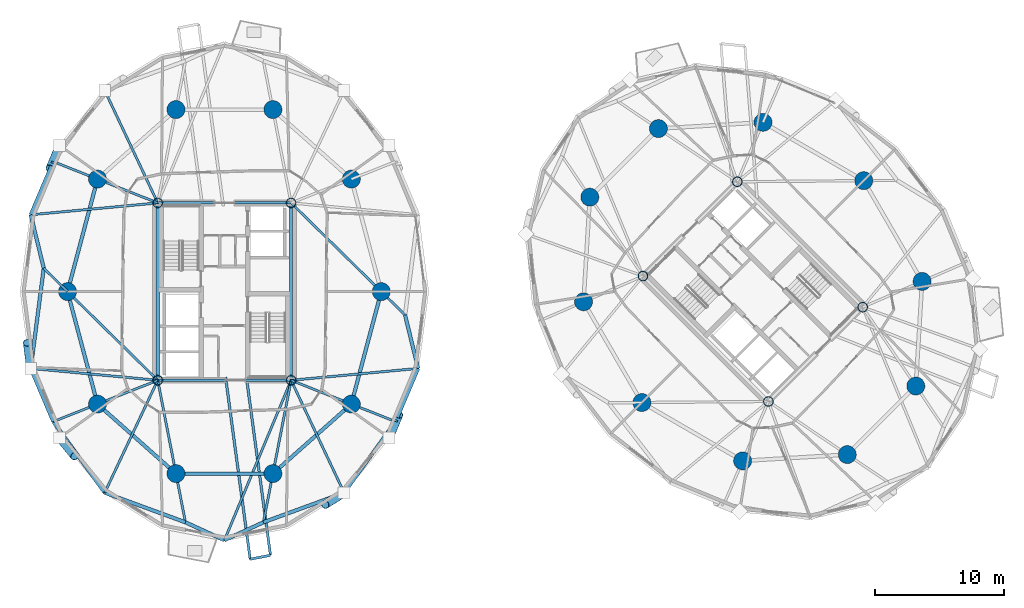
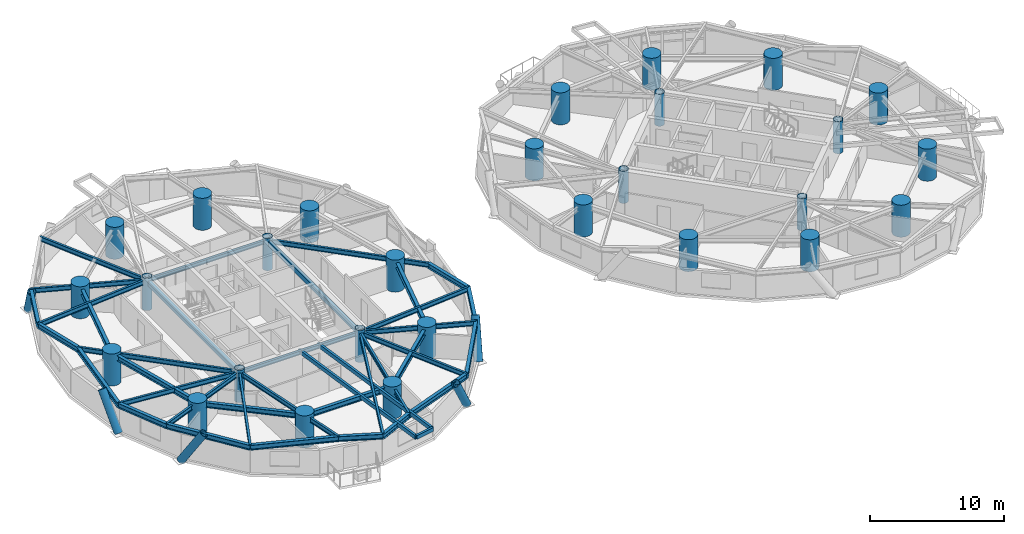
# One storey, part 1 of 19: 40 beams, 28 columns, 5 members.
"""IFC4 building model written with IfcOpenShell, lengths in metres."""

from ifc_helpers import new_model, si_unit, direction, frame, origin, origin_2d, place, context, subcontext, project, spatial, hollow_rectangle, circle, hollow_circle, i_section, extrude, material, material_profile, profile_set, type_object, element, save


model = new_model("IFC4")

# Units and contexts
model_context = context("Model", 3, precision=1e-05, world=origin(), true_north=direction((0.0, 1.0)))
body_context = subcontext(model_context, "Body", "Model", "MODEL_VIEW")
ifc_project = project(units=[si_unit("LENGTHUNIT", "METRE"), si_unit("AREAUNIT", "SQUARE_METRE"), si_unit("VOLUMEUNIT", "CUBIC_METRE"), si_unit("PLANEANGLEUNIT", "RADIAN"), si_unit("MASSUNIT", "GRAM", prefix="KILO")], contexts=[model_context])

# Site, building, storey
site_placement = place(None, origin())
site = spatial("IfcSite", under=ifc_project, at=site_placement, CompositionType="ELEMENT")
building_placement = place(site_placement, origin())
building = spatial("IfcBuilding", under=site, at=building_placement, Name="Cununo Teusaquillo Station Towers", CompositionType="ELEMENT")
storey_placement = place(building_placement, frame((0.0, 0.0, 84.699951171875)))
storey = spatial("IfcBuildingStorey", under=building, at=storey_placement, Name="L26", CompositionType="ELEMENT", Elevation=84.699951171875)

# Columns
ifc_material_1 = material(Name="Steel EN 10025-2 S355J2", Category="steel")
ifc_material_profile_1 = material_profile(ifc_material_1, hollow_circle(Radius=0.3798828125, WallThickness=0.031982421875, at=origin_2d()), Name="CHS 760x32")
ifc_profile_set_1 = profile_set([ifc_material_profile_1], Name="Steel EN 10025-2 S355J2")
column_type_1 = type_object("IfcColumnType", Name="COL-CORE-Z2", PredefinedType="COLUMN", material=ifc_profile_set_1)
for number, where, z_axis, x_axis, name in (
    (1, (11.324951171875, 17.6201171875, 0.0), (0.0, 0.0, 1.0), (1.0, 0.0, 0.0), "L26 Tower A Core Column 1"),
    (2, (11.324951171875, 31.3798828125, 0.0), (0.0, 0.0, 1.0), (1.0, 0.0, 0.0), "L26 Tower A Core Column 2"),
    (3, (21.675048828125, 17.6201171875, 0.0), (0.0, 0.0, 1.0), (1.0, 0.0, 0.0), "L26 Tower A Core Column 3"),
    (4, (21.675048828125, 31.3798828125, 0.0), (0.0, 0.0, 1.0), (1.0, 0.0, 0.0), "L26 Tower A Core Column 4"),
    (5, (58.70556640625, 15.975830078125, 0.0), (0.0, 0.0, 1.0), (0.707106781187, 0.707106781187, 0.0), "L26 Tower B Core Column 1"),
    (6, (48.975830078125, 25.70556640625, 0.0), (0.0, 0.0, 1.0), (0.707106781187, 0.707106781187, 0.0), "L26 Tower B Core Column 2"),
    (7, (66.024169921875, 23.29443359375, 0.0), (0.0, 0.0, 1.0), (0.707106781187, 0.707106781187, 0.0), "L26 Tower B Core Column 3"),
    (8, (56.29443359375, 33.024169921875, 0.0), (0.0, 0.0, 1.0), (0.707106781187, 0.707106781187, 0.0), "L26 Tower B Core Column 4"),
):
    element("IfcColumn", number, at=place(storey_placement, frame(where, z_axis=z_axis, x_axis=x_axis)), inside=storey, type_object=column_type_1, Name=name, PredefinedType="COLUMN", context=body_context, shape_type="SweptSolid", body=[
        extrude(hollow_circle(Radius=0.3798828125, WallThickness=0.031982421875, at=origin_2d()), origin(), (0.0, 0.0, 1.0), 2.91015625),
    ])
ifc_material_2 = material(Name="Concrete C60/75", Category="concrete")
ifc_material_profile_2 = material_profile(ifc_material_2, circle(Radius=0.699951171875, at=origin_2d()), Name="RC-CIRC-1400")
ifc_profile_set_2 = profile_set([ifc_material_profile_2], Name="Concrete C60/75")
column_type_2 = type_object("IfcColumnType", Name="COL-MEGA-Z2", PredefinedType="USERDEFINED", material=ifc_profile_set_2)
for number, where, z_axis, x_axis, name in (
    (9, (28.672119140625, 24.5, 0.0), (0.0, 0.0, 1.0), (1.0, 0.0, 0.0), "L26 Tower A Perimeter Column V00"),
    (10, (26.347412109375, 33.228515625, 0.0), (0.0, 0.0, 1.0), (1.0, 0.0, 0.0), "L26 Tower A Perimeter Column V02"),
    (11, (20.261474609375, 38.623291015625, 0.0), (0.0, 0.0, 1.0), (1.0, 0.0, 0.0), "L26 Tower A Perimeter Column V04"),
    (12, (12.738525390625, 38.623291015625, 0.0), (0.0, 0.0, 1.0), (1.0, 0.0, 0.0), "L26 Tower A Perimeter Column V06"),
    (13, (6.652587890625, 33.228515625, 0.0), (0.0, 0.0, 1.0), (1.0, 0.0, 0.0), "L26 Tower A Perimeter Column V08"),
    (14, (4.327880859375, 24.5, 0.0), (0.0, 0.0, 1.0), (1.0, 0.0, 0.0), "L26 Tower A Perimeter Column V10"),
    (15, (6.652587890625, 15.771484375, 0.0), (0.0, 0.0, 1.0), (1.0, 0.0, 0.0), "L26 Tower A Perimeter Column V12"),
    (16, (12.738525390625, 10.376708984375, 0.0), (0.0, 0.0, 1.0), (1.0, 0.0, 0.0), "L26 Tower A Perimeter Column V14"),
    (17, (20.261474609375, 10.376708984375, 0.0), (0.0, 0.0, 1.0), (1.0, 0.0, 0.0), "L26 Tower A Perimeter Column V16"),
    (18, (26.347412109375, 15.771484375, 0.0), (0.0, 0.0, 1.0), (1.0, 0.0, 0.0), "L26 Tower A Perimeter Column V18"),
    (19, (66.10693359375, 33.10693359375, 0.0), (0.0, 0.0, 1.0), (1.0, 0.0, 0.0), "L26 Tower B Perimeter Column V00"),
    (20, (58.291015625, 37.63525390625, 0.0), (0.0, 0.0, 1.0), (1.0, 0.0, 0.0), "L26 Tower B Perimeter Column V02"),
    (21, (50.173095703125, 37.146240234375, 0.0), (0.0, 0.0, 1.0), (1.0, 0.0, 0.0), "L26 Tower B Perimeter Column V04"),
    (22, (44.853759765625, 31.826904296875, 0.0), (0.0, 0.0, 1.0), (1.0, 0.0, 0.0), "L26 Tower B Perimeter Column V06"),
    (23, (44.36474609375, 23.708984375, 0.0), (0.0, 0.0, 1.0), (1.0, 0.0, 0.0), "L26 Tower B Perimeter Column V08"),
    (24, (48.89306640625, 15.89306640625, 0.0), (0.0, 0.0, 1.0), (1.0, 0.0, 0.0), "L26 Tower B Perimeter Column V10"),
    (25, (56.708984375, 11.36474609375, 0.0), (0.0, 0.0, 1.0), (1.0, 0.0, 0.0), "L26 Tower B Perimeter Column V12"),
    (26, (64.826904296875, 11.853759765625, 0.0), (0.0, 0.0, 1.0), (1.0, 0.0, 0.0), "L26 Tower B Perimeter Column V14"),
    (27, (70.146240234375, 17.173095703125, 0.0), (0.0, 0.0, 1.0), (1.0, 0.0, 0.0), "L26 Tower B Perimeter Column V16"),
    (28, (70.63525390625, 25.291015625, 0.0), (0.0, 0.0, 1.0), (1.0, 0.0, 0.0), "L26 Tower B Perimeter Column V18"),
):
    element("IfcColumn", number, at=place(storey_placement, frame(where, z_axis=z_axis, x_axis=x_axis)), inside=storey, type_object=column_type_2, Name=name, ObjectType="MEGA COLUMN", PredefinedType="USERDEFINED", context=body_context, shape_type="SweptSolid", body=[
        extrude(circle(Radius=0.699951171875, at=origin_2d()), origin(), (0.0, 0.0, 1.0), 2.91015625),
    ])

# Beams
ifc_material_3 = material(Name="Steel EN 10025-2 S355J2", Category="steel")
ifc_material_profile_3 = material_profile(ifc_material_3, hollow_rectangle(XDim=0.199951171875, YDim=0.35009765625, WallThickness=0.013916015625, at=origin_2d()), Name="RHS 350x200x14")
ifc_profile_set_3 = profile_set([ifc_material_profile_3], Name="Steel EN 10025-2 S355J2")
beam_type_1 = type_object("IfcBeamType", Name="BM-BAL-CANT", PredefinedType="BEAM", material=ifc_profile_set_3)
beam_1_placement = place(storey_placement, frame((16.59130859375, 17.85009765625, 2.4951171875), z_axis=(0.133936551357, -0.990989909237, 0.0), x_axis=(0.990989909237, 0.133936551357, 0.0)))
element("IfcBeam", 29, at=beam_1_placement, inside=storey, type_object=beam_type_1, Name="L26 Tower A Balcony Cantilever Bracket 2A", PredefinedType="BEAM", context=body_context, shape_type="SweptSolid", body=[
    extrude(hollow_rectangle(XDim=0.199951171875, YDim=0.35009765625, WallThickness=0.013916015625, at=origin_2d()), origin(), (0.0, 0.0, 1.0), 14.24169921875),
])
beam_2_placement = place(storey_placement, frame((18.206298828125, 17.85009765625, 2.4951171875), z_axis=(0.133960678738, -0.990986648019, 0.0), x_axis=(0.990986648019, 0.133960678738, 0.0)))
element("IfcBeam", 30, at=beam_2_placement, inside=storey, type_object=beam_type_1, Name="L26 Tower A Balcony Cantilever Bracket 2B", PredefinedType="BEAM", context=body_context, shape_type="SweptSolid", body=[
    extrude(hollow_rectangle(XDim=0.199951171875, YDim=0.35009765625, WallThickness=0.013916015625, at=origin_2d()), origin(), (0.0, 0.0, 1.0), 13.9345703125),
])
ifc_material_4 = material(Name="Steel EN 10025-2 S355J2", Category="steel")
ifc_material_profile_4 = material_profile(ifc_material_4, hollow_rectangle(XDim=0.25, YDim=0.449951171875, WallThickness=0.01611328125, at=origin_2d()), Name="RHS 450x250x16")
ifc_profile_set_4 = profile_set([ifc_material_profile_4], Name="Steel EN 10025-2 S355J2")
beam_type_2 = type_object("IfcBeamType", Name="BM-COUP-1", PredefinedType="USERDEFINED", material=ifc_profile_set_4)
for number, where, z_axis, x_axis, name in (
    (31, (11.324951171875, 17.6201171875, 2.445068359375), (0.0, 1.0, 0.0), (-1.0, 0.0, 0.0), "L26 Tower A Core Beam 1"),
    (32, (21.675048828125, 17.6201171875, 2.445068359375), (0.0, 1.0, 0.0), (-1.0, 0.0, 0.0), "L26 Tower A Core Beam 2"),
):
    element("IfcBeam", number, at=place(storey_placement, frame(where, z_axis=z_axis, x_axis=x_axis)), inside=storey, type_object=beam_type_2, Name=name, ObjectType="COUPLING BEAM", PredefinedType="USERDEFINED", context=body_context, shape_type="SweptSolid", body=[
        extrude(hollow_rectangle(XDim=0.25, YDim=0.449951171875, WallThickness=0.01611328125, at=origin_2d()), origin(), (0.0, 0.0, 1.0), 13.759765625),
    ])
ifc_material_5 = material(Name="Steel ASTM A572 Grade 50", Category="steel")
ifc_material_profile_5 = material_profile(ifc_material_5, i_section(OverallWidth=0.180908203125, OverallDepth=0.4169921875, WebThickness=0.010986328125, FlangeThickness=0.018310546875, FilletRadius=0.012939453125, at=origin_2d()), Name="W16X57")
ifc_profile_set_5 = profile_set([ifc_material_profile_5], Name="Steel ASTM A572 Grade 50")
beam_type_3 = type_object("IfcBeamType", Name="BM-JOIST-1", PredefinedType="JOIST", material=ifc_profile_set_5)
beam_3_placement = place(storey_placement, frame((11.324951171875, 31.3798828125, 2.461669921875), z_axis=(-0.426319838016, 0.904572493344, 0.0), x_axis=(-0.904572493344, -0.426319838016, 0.0)))
element("IfcBeam", 33, at=beam_3_placement, inside=storey, type_object=beam_type_3, Name="L26 Tower A Radial Spandrel Joist V07", PredefinedType="JOIST", context=body_context, shape_type="SweptSolid", body=[
    extrude(i_section(OverallWidth=0.180908203125, OverallDepth=0.4169921875, WebThickness=0.010986328125, FlangeThickness=0.018310546875, FilletRadius=0.012939453125, at=origin_2d()), origin(), (0.0, 0.0, 1.0), 9.646728515625),
])
for number, where, z_axis, x_axis, name in (
    (34, (11.324951171875, 31.3798828125, 2.461669921875), (-0.995678537907, -0.09286683558, 0.0), (0.09286683558, -0.995678537907, 0.0), "L26 Tower A Radial Spandrel Joist V09"),
    (35, (11.324951171875, 17.6201171875, 2.461669921875), (-0.995678537907, 0.09286683558, 0.0), (-0.09286683558, -0.995678537907, 0.0), "L26 Tower A Radial Spandrel Joist V11"),
):
    element("IfcBeam", number, at=place(storey_placement, frame(where, z_axis=z_axis, x_axis=x_axis)), inside=storey, type_object=beam_type_3, Name=name, PredefinedType="JOIST", context=body_context, shape_type="SweptSolid", body=[
        extrude(i_section(OverallWidth=0.180908203125, OverallDepth=0.4169921875, WebThickness=0.010986328125, FlangeThickness=0.018310546875, FilletRadius=0.012939453125, at=origin_2d()), origin(), (0.0, 0.0, 1.0), 9.895263671875),
    ])
beam_4_placement = place(storey_placement, frame((11.324951171875, 17.6201171875, 2.461669921875), z_axis=(-0.426319838016, -0.904572493344, 0.0), x_axis=(0.904572493344, -0.426319838016, 0.0)))
element("IfcBeam", 36, at=beam_4_placement, inside=storey, type_object=beam_type_3, Name="L26 Tower A Radial Spandrel Joist V13", PredefinedType="JOIST", context=body_context, shape_type="SweptSolid", body=[
    extrude(i_section(OverallWidth=0.180908203125, OverallDepth=0.4169921875, WebThickness=0.010986328125, FlangeThickness=0.018310546875, FilletRadius=0.012939453125, at=origin_2d()), origin(), (0.0, 0.0, 1.0), 9.646728515625),
])
beam_5_placement = place(storey_placement, frame((21.675048828125, 17.6201171875, 2.461669921875), z_axis=(-0.38487837995, -0.922967297713, 0.0), x_axis=(0.922967297713, -0.38487837995, 0.0)))
element("IfcBeam", 37, at=beam_5_placement, inside=storey, type_object=beam_type_3, Name="L26 Tower A Radial Spandrel Joist V15", PredefinedType="JOIST", context=body_context, shape_type="SweptSolid", body=[
    extrude(i_section(OverallWidth=0.180908203125, OverallDepth=0.4169921875, WebThickness=0.010986328125, FlangeThickness=0.018310546875, FilletRadius=0.012939453125, at=origin_2d()), origin(), (0.0, 0.0, 1.0), 13.446044921875),
])
beam_6_placement = place(storey_placement, frame((21.675048828125, 17.6201171875, 2.461669921875), z_axis=(0.426319838016, -0.904572493344, 0.0), x_axis=(0.904572493344, 0.426319838016, 0.0)))
element("IfcBeam", 38, at=beam_6_placement, inside=storey, type_object=beam_type_3, Name="L26 Tower A Radial Spandrel Joist V17", PredefinedType="JOIST", context=body_context, shape_type="SweptSolid", body=[
    extrude(i_section(OverallWidth=0.180908203125, OverallDepth=0.4169921875, WebThickness=0.010986328125, FlangeThickness=0.018310546875, FilletRadius=0.012939453125, at=origin_2d()), origin(), (0.0, 0.0, 1.0), 9.646728515625),
])
beam_7_placement = place(storey_placement, frame((21.675048828125, 17.6201171875, 2.461669921875), z_axis=(0.995678537907, 0.09286683558, 0.0), x_axis=(-0.09286683558, 0.995678537907, 0.0)))
element("IfcBeam", 39, at=beam_7_placement, inside=storey, type_object=beam_type_3, Name="L26 Tower A Radial Spandrel Joist V19", PredefinedType="JOIST", context=body_context, shape_type="SweptSolid", body=[
    extrude(i_section(OverallWidth=0.180908203125, OverallDepth=0.4169921875, WebThickness=0.010986328125, FlangeThickness=0.018310546875, FilletRadius=0.012939453125, at=origin_2d()), origin(), (0.0, 0.0, 1.0), 9.895263671875),
])
ifc_material_6 = material(Name="Steel ASTM A572 Grade 50", Category="steel")
ifc_material_profile_6 = material_profile(ifc_material_6, i_section(OverallWidth=0.2041015625, OverallDepth=0.35009765625, WebThickness=0.008544921875, FlangeThickness=0.01513671875, FilletRadius=0.011962890625, at=origin_2d()), Name="W14X48")
ifc_profile_set_6 = profile_set([ifc_material_profile_6], Name="Steel ASTM A572 Grade 50")
beam_type_4 = type_object("IfcBeamType", Name="BM-LINTEL-1", PredefinedType="LINTEL", material=ifc_profile_set_6)
for number, where, z_axis, x_axis, name in (
    (40, (11.324951171875, 17.6201171875, 2.4951171875), (1.0, 0.0, 0.0), (0.0, 1.0, 0.0), "L26 Tower A Core Beam 3"),
    (41, (11.324951171875, 31.3798828125, 2.4951171875), (1.0, 0.0, 0.0), (0.0, 1.0, 0.0), "L26 Tower A Core Beam 4"),
):
    element("IfcBeam", number, at=place(storey_placement, frame(where, z_axis=z_axis, x_axis=x_axis)), inside=storey, type_object=beam_type_4, Name=name, PredefinedType="LINTEL", context=body_context, shape_type="SweptSolid", body=[
        extrude(i_section(OverallWidth=0.2041015625, OverallDepth=0.35009765625, WebThickness=0.008544921875, FlangeThickness=0.01513671875, FilletRadius=0.011962890625, at=origin_2d()), origin(), (0.0, 0.0, 1.0), 10.35009765625),
    ])
ifc_material_7 = material(Name="Steel ASTM A572 Grade 50", Category="steel")
ifc_material_profile_7 = material_profile(ifc_material_7, i_section(OverallWidth=0.180908203125, OverallDepth=0.4169921875, WebThickness=0.010986328125, FlangeThickness=0.018310546875, FilletRadius=0.012939453125, at=origin_2d()), Name="W16X57")
ifc_profile_set_7 = profile_set([ifc_material_profile_7], Name="Steel ASTM A572 Grade 50")
beam_type_5 = type_object("IfcBeamType", Name="BM-RAD-G2", PredefinedType="BEAM", material=ifc_profile_set_7)
beam_8_placement = place(storey_placement, frame((21.675048828125, 31.3798828125, 2.461669921875), z_axis=(0.713047137857, -0.701116095375, 0.0), x_axis=(0.701116095375, 0.713047137857, 0.0)))
element("IfcBeam", 42, at=beam_8_placement, inside=storey, type_object=beam_type_5, Name="L26 Tower A Continuous Overhanging Radial Girder 01", PredefinedType="BEAM", context=body_context, shape_type="SweptSolid", body=[
    extrude(i_section(OverallWidth=0.180908203125, OverallDepth=0.4169921875, WebThickness=0.010986328125, FlangeThickness=0.018310546875, FilletRadius=0.012939453125, at=origin_2d()), origin(), (0.0, 0.0, 1.0), 12.400390625),
])
beam_9_placement = place(storey_placement, frame((11.324951171875, 31.3798828125, 2.461669921875), z_axis=(-0.929863123823, 0.367905654963, 0.0), x_axis=(-0.367905654963, -0.929863123823, 0.0)))
element("IfcBeam", 43, at=beam_9_placement, inside=storey, type_object=beam_type_5, Name="L26 Tower A Continuous Overhanging Radial Girder 05", PredefinedType="BEAM", context=body_context, shape_type="SweptSolid", body=[
    extrude(i_section(OverallWidth=0.180908203125, OverallDepth=0.4169921875, WebThickness=0.010986328125, FlangeThickness=0.018310546875, FilletRadius=0.012939453125, at=origin_2d()), origin(), (0.0, 0.0, 1.0), 8.715087890625),
])
beam_10_placement = place(storey_placement, frame((11.324951171875, 17.6201171875, 2.461669921875), z_axis=(-0.713052701438, 0.701110437073, 0.0), x_axis=(-0.701110437073, -0.713052701438, 0.0)))
element("IfcBeam", 44, at=beam_10_placement, inside=storey, type_object=beam_type_5, Name="L26 Tower A Radial Girder 06A", PredefinedType="BEAM", context=body_context, shape_type="SweptSolid", body=[
    extrude(i_section(OverallWidth=0.180908203125, OverallDepth=0.4169921875, WebThickness=0.010986328125, FlangeThickness=0.018310546875, FilletRadius=0.012939453125, at=origin_2d()), origin(), (0.0, 0.0, 1.0), 9.812744140625),
])
beam_11_placement = place(storey_placement, frame((4.327880859375, 24.5, 2.461669921875), z_axis=(-0.7130260383, 0.701137553342, 0.0), x_axis=(-0.701137553342, -0.7130260383, 0.0)))
element("IfcBeam", 45, at=beam_11_placement, inside=storey, type_object=beam_type_5, Name="L26 Tower A Perimeter Overhang Girder 06B", PredefinedType="BEAM", context=body_context, shape_type="SweptSolid", body=[
    extrude(i_section(OverallWidth=0.180908203125, OverallDepth=0.4169921875, WebThickness=0.010986328125, FlangeThickness=0.018310546875, FilletRadius=0.012939453125, at=origin_2d()), origin(), (0.0, 0.0, 1.0), 2.58740234375),
])
beam_12_placement = place(storey_placement, frame((11.324951171875, 17.6201171875, 2.461669921875), z_axis=(-0.929863123823, -0.367905654963, 0.0), x_axis=(0.367905654963, -0.929863123823, 0.0)))
element("IfcBeam", 46, at=beam_12_placement, inside=storey, type_object=beam_type_5, Name="L26 Tower A Continuous Overhanging Radial Girder 07", PredefinedType="BEAM", context=body_context, shape_type="SweptSolid", body=[
    extrude(i_section(OverallWidth=0.180908203125, OverallDepth=0.4169921875, WebThickness=0.010986328125, FlangeThickness=0.018310546875, FilletRadius=0.012939453125, at=origin_2d()), origin(), (0.0, 0.0, 1.0), 8.715087890625),
])
for number, where, z_axis, x_axis, name in (
    (47, (11.324951171875, 17.6201171875, 2.461669921875), (0.191552755713, -0.981482318628, 0.0), (0.981482318628, 0.191552755713, 0.0), "L26 Tower A Continuous Overhanging Radial Girder 08"),
    (48, (21.675048828125, 17.6201171875, 2.461669921875), (-0.191552755713, -0.981482318628, 0.0), (0.981482318628, -0.191552755713, 0.0), "L26 Tower A Continuous Overhanging Radial Girder 09"),
):
    element("IfcBeam", number, at=place(storey_placement, frame(where, z_axis=z_axis, x_axis=x_axis)), inside=storey, type_object=beam_type_5, Name=name, PredefinedType="BEAM", context=body_context, shape_type="SweptSolid", body=[
        extrude(i_section(OverallWidth=0.180908203125, OverallDepth=0.4169921875, WebThickness=0.010986328125, FlangeThickness=0.018310546875, FilletRadius=0.012939453125, at=origin_2d()), origin(), (0.0, 0.0, 1.0), 11.22998046875),
    ])
beam_13_placement = place(storey_placement, frame((21.675048828125, 17.6201171875, 2.461669921875), z_axis=(0.929863123823, -0.367905654963, 0.0), x_axis=(0.367905654963, 0.929863123823, 0.0)))
element("IfcBeam", 49, at=beam_13_placement, inside=storey, type_object=beam_type_5, Name="L26 Tower A Continuous Overhanging Radial Girder 10", PredefinedType="BEAM", context=body_context, shape_type="SweptSolid", body=[
    extrude(i_section(OverallWidth=0.180908203125, OverallDepth=0.4169921875, WebThickness=0.010986328125, FlangeThickness=0.018310546875, FilletRadius=0.012939453125, at=origin_2d()), origin(), (0.0, 0.0, 1.0), 8.715087890625),
])
ifc_material_8 = material(Name="Steel ASTM A572 Grade 50", Category="steel")
ifc_material_profile_8 = material_profile(ifc_material_8, i_section(OverallWidth=0.280029296875, OverallDepth=0.462890625, WebThickness=0.0107421875, FlangeThickness=0.017333984375, FilletRadius=0.013916015625, at=origin_2d()), Name="W18X76")
ifc_profile_set_8 = profile_set([ifc_material_profile_8], Name="Steel ASTM A572 Grade 50")
beam_type_6 = type_object("IfcBeamType", Name="BM-RING-Z2", PredefinedType="SPANDREL", material=ifc_profile_set_8)
for number, where, z_axis, x_axis, name in (
    (50, (6.652587890625, 33.228515625, 2.4384765625), (-0.257363196347, -0.966314744359, 0.0), (0.966314744359, -0.257363196347, 0.0), "L26 Tower A Structural Column Ring Girder 05"),
    (51, (4.327880859375, 24.5, 2.4384765625), (0.257363196347, -0.966314744359, 0.0), (0.966314744359, 0.257363196347, 0.0), "L26 Tower A Structural Column Ring Girder 06"),
):
    element("IfcBeam", number, at=place(storey_placement, frame(where, z_axis=z_axis, x_axis=x_axis)), inside=storey, type_object=beam_type_6, Name=name, PredefinedType="SPANDREL", context=body_context, shape_type="SweptSolid", body=[
        extrude(i_section(OverallWidth=0.280029296875, OverallDepth=0.462890625, WebThickness=0.0107421875, FlangeThickness=0.017333984375, FilletRadius=0.013916015625, at=origin_2d()), origin(), (0.0, 0.0, 1.0), 9.03271484375),
    ])
beam_14_placement = place(storey_placement, frame((6.652587890625, 15.771484375, 2.4384765625), z_axis=(0.74832120039, -0.66333655187, 0.0), x_axis=(0.66333655187, 0.74832120039, 0.0)))
element("IfcBeam", 52, at=beam_14_placement, inside=storey, type_object=beam_type_6, Name="L26 Tower A Structural Column Ring Girder 07", PredefinedType="SPANDREL", context=body_context, shape_type="SweptSolid", body=[
    extrude(i_section(OverallWidth=0.280029296875, OverallDepth=0.462890625, WebThickness=0.0107421875, FlangeThickness=0.017333984375, FilletRadius=0.013916015625, at=origin_2d()), origin(), (0.0, 0.0, 1.0), 8.1328125),
])
beam_15_placement = place(storey_placement, frame((12.738525390625, 10.376708984375, 2.4384765625), z_axis=(1.0, 0.0, 0.0), x_axis=(0.0, 1.0, 0.0)))
element("IfcBeam", 53, at=beam_15_placement, inside=storey, type_object=beam_type_6, Name="L26 Tower A Structural Column Ring Girder 08", PredefinedType="SPANDREL", context=body_context, shape_type="SweptSolid", body=[
    extrude(i_section(OverallWidth=0.280029296875, OverallDepth=0.462890625, WebThickness=0.0107421875, FlangeThickness=0.017333984375, FilletRadius=0.013916015625, at=origin_2d()), origin(), (0.0, 0.0, 1.0), 7.52294921875),
])
beam_16_placement = place(storey_placement, frame((20.261474609375, 10.376708984375, 2.4384765625), z_axis=(0.74832120039, 0.66333655187, 0.0), x_axis=(-0.66333655187, 0.74832120039, 0.0)))
element("IfcBeam", 54, at=beam_16_placement, inside=storey, type_object=beam_type_6, Name="L26 Tower A Structural Column Ring Girder 09", PredefinedType="SPANDREL", context=body_context, shape_type="SweptSolid", body=[
    extrude(i_section(OverallWidth=0.280029296875, OverallDepth=0.462890625, WebThickness=0.0107421875, FlangeThickness=0.017333984375, FilletRadius=0.013916015625, at=origin_2d()), origin(), (0.0, 0.0, 1.0), 8.1328125),
])
beam_17_placement = place(storey_placement, frame((26.347412109375, 15.771484375, 2.4384765625), z_axis=(0.257363196347, 0.966314744359, 0.0), x_axis=(-0.966314744359, 0.257363196347, 0.0)))
element("IfcBeam", 55, at=beam_17_placement, inside=storey, type_object=beam_type_6, Name="L26 Tower A Structural Column Ring Girder 10", PredefinedType="SPANDREL", context=body_context, shape_type="SweptSolid", body=[
    extrude(i_section(OverallWidth=0.280029296875, OverallDepth=0.462890625, WebThickness=0.0107421875, FlangeThickness=0.017333984375, FilletRadius=0.013916015625, at=origin_2d()), origin(), (0.0, 0.0, 1.0), 9.03271484375),
])
beam_18_placement = place(storey_placement, frame((3.22119140625, 34.586181640625, 2.4384765625), z_axis=(-0.390299356049, -0.920688010494, 0.0), x_axis=(0.920688010494, -0.390299356049, 0.0)))
element("IfcBeam", 56, at=beam_18_placement, inside=storey, type_object=beam_type_6, Name="L26 Tower A Spandrel Ring Beam 09", PredefinedType="SPANDREL", context=body_context, shape_type="SweptSolid", body=[
    extrude(i_section(OverallWidth=0.280029296875, OverallDepth=0.462890625, WebThickness=0.0107421875, FlangeThickness=0.017333984375, FilletRadius=0.013916015625, at=origin_2d()), origin(), (0.0, 0.0, 1.0), 4.480712890625),
])
beam_19_placement = place(storey_placement, frame((1.472412109375, 30.4609375, 2.4384765625), z_axis=(0.236757334703, -0.971568816124, 0.0), x_axis=(0.971568816124, 0.236757334703, 0.0)))
element("IfcBeam", 57, at=beam_19_placement, inside=storey, type_object=beam_type_6, Name="L26 Tower A Spandrel Ring Beam 10", PredefinedType="SPANDREL", context=body_context, shape_type="SweptSolid", body=[
    extrude(i_section(OverallWidth=0.280029296875, OverallDepth=0.462890625, WebThickness=0.0107421875, FlangeThickness=0.017333984375, FilletRadius=0.013916015625, at=origin_2d()), origin(), (0.0, 0.0, 1.0), 4.26806640625),
])
beam_20_placement = place(storey_placement, frame((2.48291015625, 26.314208984375, 2.4384765625), z_axis=(-0.12888124113, -0.991660035337, 0.0), x_axis=(0.991660035337, -0.12888124113, 0.0)))
element("IfcBeam", 58, at=beam_20_placement, inside=storey, type_object=beam_type_6, Name="L26 Tower A Spandrel Ring Beam 11", PredefinedType="SPANDREL", context=body_context, shape_type="SweptSolid", body=[
    extrude(i_section(OverallWidth=0.280029296875, OverallDepth=0.462890625, WebThickness=0.0107421875, FlangeThickness=0.017333984375, FilletRadius=0.013916015625, at=origin_2d()), origin(), (0.0, 0.0, 1.0), 7.840576171875),
])
beam_21_placement = place(storey_placement, frame((1.472412109375, 18.5390625, 2.4384765625), z_axis=(0.390299356049, -0.920688010494, 0.0), x_axis=(0.920688010494, 0.390299356049, 0.0)))
element("IfcBeam", 59, at=beam_21_placement, inside=storey, type_object=beam_type_6, Name="L26 Tower A Spandrel Ring Beam 12", PredefinedType="SPANDREL", context=body_context, shape_type="SweptSolid", body=[
    extrude(i_section(OverallWidth=0.280029296875, OverallDepth=0.462890625, WebThickness=0.0107421875, FlangeThickness=0.017333984375, FilletRadius=0.013916015625, at=origin_2d()), origin(), (0.0, 0.0, 1.0), 4.480712890625),
])
beam_22_placement = place(storey_placement, frame((3.22119140625, 14.413818359375, 2.4384765625), z_axis=(0.58594455724, -0.810351143543, 0.0), x_axis=(0.810351143543, 0.58594455724, 0.0)))
element("IfcBeam", 60, at=beam_22_placement, inside=storey, type_object=beam_type_6, Name="L26 Tower A Spandrel Ring Beam 13", PredefinedType="SPANDREL", context=body_context, shape_type="SweptSolid", body=[
    extrude(i_section(OverallWidth=0.280029296875, OverallDepth=0.462890625, WebThickness=0.0107421875, FlangeThickness=0.017333984375, FilletRadius=0.013916015625, at=origin_2d()), origin(), (0.0, 0.0, 1.0), 6.8115234375),
])
beam_23_placement = place(storey_placement, frame((7.21240234375, 8.89404296875, 2.4384765625), z_axis=(0.938914161016, -0.34415141761, 0.0), x_axis=(0.34415141761, 0.938914161016, 0.0)))
element("IfcBeam", 61, at=beam_23_placement, inside=storey, type_object=beam_type_6, Name="L26 Tower A Spandrel Ring Beam 14", PredefinedType="SPANDREL", context=body_context, shape_type="SweptSolid", body=[
    extrude(i_section(OverallWidth=0.280029296875, OverallDepth=0.462890625, WebThickness=0.0107421875, FlangeThickness=0.017333984375, FilletRadius=0.013916015625, at=origin_2d()), origin(), (0.0, 0.0, 1.0), 6.671142578125),
])
for number, where, z_axis, x_axis, name in (
    (62, (13.47607421875, 6.59814453125, 2.4384765625), (0.908812215281, -0.417205413862, 0.0), (0.417205413862, 0.908812215281, 0.0), "L26 Tower A Spandrel Ring Beam 15"),
    (63, (16.5, 5.2099609375, 2.4384765625), (0.908812215281, 0.417205413862, 0.0), (-0.417205413862, 0.908812215281, 0.0), "L26 Tower A Spandrel Ring Beam 16"),
):
    element("IfcBeam", number, at=place(storey_placement, frame(where, z_axis=z_axis, x_axis=x_axis)), inside=storey, type_object=beam_type_6, Name=name, PredefinedType="SPANDREL", context=body_context, shape_type="SweptSolid", body=[
        extrude(i_section(OverallWidth=0.280029296875, OverallDepth=0.462890625, WebThickness=0.0107421875, FlangeThickness=0.017333984375, FilletRadius=0.013916015625, at=origin_2d()), origin(), (0.0, 0.0, 1.0), 3.327392578125),
    ])
beam_24_placement = place(storey_placement, frame((19.52392578125, 6.59814453125, 2.4384765625), z_axis=(0.938914161016, 0.34415141761, 0.0), x_axis=(-0.34415141761, 0.938914161016, 0.0)))
element("IfcBeam", 64, at=beam_24_placement, inside=storey, type_object=beam_type_6, Name="L26 Tower A Spandrel Ring Beam 17", PredefinedType="SPANDREL", context=body_context, shape_type="SweptSolid", body=[
    extrude(i_section(OverallWidth=0.280029296875, OverallDepth=0.462890625, WebThickness=0.0107421875, FlangeThickness=0.017333984375, FilletRadius=0.013916015625, at=origin_2d()), origin(), (0.0, 0.0, 1.0), 6.671142578125),
])
beam_25_placement = place(storey_placement, frame((25.78759765625, 8.89404296875, 2.4384765625), z_axis=(0.58594455724, 0.810351143543, 0.0), x_axis=(-0.810351143543, 0.58594455724, 0.0)))
element("IfcBeam", 65, at=beam_25_placement, inside=storey, type_object=beam_type_6, Name="L26 Tower A Spandrel Ring Beam 18", PredefinedType="SPANDREL", context=body_context, shape_type="SweptSolid", body=[
    extrude(i_section(OverallWidth=0.280029296875, OverallDepth=0.462890625, WebThickness=0.0107421875, FlangeThickness=0.017333984375, FilletRadius=0.013916015625, at=origin_2d()), origin(), (0.0, 0.0, 1.0), 6.8115234375),
])
beam_26_placement = place(storey_placement, frame((29.77880859375, 14.413818359375, 2.4384765625), z_axis=(0.390299356049, 0.920688010494, 0.0), x_axis=(-0.920688010494, 0.390299356049, 0.0)))
element("IfcBeam", 66, at=beam_26_placement, inside=storey, type_object=beam_type_6, Name="L26 Tower A Spandrel Ring Beam 19", PredefinedType="SPANDREL", context=body_context, shape_type="SweptSolid", body=[
    extrude(i_section(OverallWidth=0.280029296875, OverallDepth=0.462890625, WebThickness=0.0107421875, FlangeThickness=0.017333984375, FilletRadius=0.013916015625, at=origin_2d()), origin(), (0.0, 0.0, 1.0), 4.480712890625),
])
beam_27_placement = place(storey_placement, frame((31.527587890625, 18.5390625, 2.4384765625), z_axis=(-0.236757334703, 0.971568816124, 0.0), x_axis=(-0.971568816124, -0.236757334703, 0.0)))
element("IfcBeam", 67, at=beam_27_placement, inside=storey, type_object=beam_type_6, Name="L26 Tower A Spandrel Ring Beam 20", PredefinedType="SPANDREL", context=body_context, shape_type="SweptSolid", body=[
    extrude(i_section(OverallWidth=0.280029296875, OverallDepth=0.462890625, WebThickness=0.0107421875, FlangeThickness=0.017333984375, FilletRadius=0.013916015625, at=origin_2d()), origin(), (0.0, 0.0, 1.0), 4.26806640625),
])
ifc_material_9 = material(Name="Steel EN 10025-2 S355J2", Category="steel")
ifc_material_profile_9 = material_profile(ifc_material_9, hollow_rectangle(XDim=0.199951171875, YDim=0.35009765625, WallThickness=0.013916015625, at=origin_2d()), Name="RHS 350x200x14")
ifc_profile_set_9 = profile_set([ifc_material_profile_9], Name="Steel EN 10025-2 S355J2")
beam_type_7 = type_object("IfcBeamType", Name="BM-STAIR-TRIM", PredefinedType="BEAM", material=ifc_profile_set_9)
beam_28_placement = place(storey_placement, frame((18.498779296875, 3.73681640625, 2.525146484375), z_axis=(0.981836621572, 0.189728354603, 0.0), x_axis=(-0.189728354603, 0.981836621572, 0.0)))
element("IfcBeam", 68, at=beam_28_placement, inside=storey, type_object=beam_type_7, Name="L26 Tower A Balcony Edge Trimmer Beam 2", PredefinedType="BEAM", context=body_context, shape_type="SweptSolid", body=[
    extrude(hollow_rectangle(XDim=0.199951171875, YDim=0.35009765625, WallThickness=0.013916015625, at=origin_2d()), origin(), (0.0, 0.0, 1.0), 1.603271484375),
])

# Members
ifc_material_10 = material(Name="Steel EN 10025-2 S355J2", Category="steel")
ifc_material_profile_10 = material_profile(ifc_material_10, hollow_circle(Radius=0.330078125, WallThickness=0.02490234375, at=origin_2d()), Name="CHS 660x25")
ifc_profile_set_10 = profile_set([ifc_material_profile_10], Name="Steel EN 10025-2 S355J2")
member_type = type_object("IfcMemberType", Name="MBR-DIAG-Z2", PredefinedType="BRACE", material=ifc_profile_set_10)
member_1_placement = place(storey_placement, frame((3.716796875, 35.83837890625, -0.139892578125), z_axis=(-0.213880258627, -0.512335679883, 0.831725547334), x_axis=(0.922816406816, -0.385240028179, 0.0)))
element("IfcMember", 69, at=member_1_placement, inside=storey, type_object=member_type, Name="L26 Tower A Folded-Zigzag Diagrid Tube C08", PredefinedType="BRACE", context=body_context, shape_type="SweptSolid", body=[
    extrude(hollow_circle(Radius=0.330078125, WallThickness=0.02490234375, at=origin_2d()), origin(), (0.0, 0.0, 1.0), 3.49853515625),
])
member_2_placement = place(storey_placement, frame((1.472412109375, 18.5390625, -0.139892578125), z_axis=(-0.072971585914, 0.562420206205, 0.823625314874), x_axis=(-0.991687829619, -0.128667200894, 0.0)))
element("IfcMember", 70, at=member_2_placement, inside=storey, type_object=member_type, Name="L26 Tower A Folded-Zigzag Diagrid Tube C10", PredefinedType="BRACE", context=body_context, shape_type="SweptSolid", body=[
    extrude(hollow_circle(Radius=0.330078125, WallThickness=0.02490234375, at=origin_2d()), origin(), (0.0, 0.0, 1.0), 3.532958984375),
])
member_3_placement = place(storey_placement, frame((3.716796875, 13.16162109375, -0.139892578125), z_axis=(0.33845803995, -0.413284786, 0.845364915793), x_axis=(0.773667352654, 0.633592003924, 0.0)))
element("IfcMember", 71, at=member_3_placement, inside=storey, type_object=member_type, Name="L26 Tower A Folded-Zigzag Diagrid Tube C12", PredefinedType="BRACE", context=body_context, shape_type="SweptSolid", body=[
    extrude(hollow_circle(Radius=0.330078125, WallThickness=0.02490234375, at=origin_2d()), origin(), (0.0, 0.0, 1.0), 3.442138671875),
])
member_4_placement = place(storey_placement, frame((25.78759765625, 8.89404296875, -0.139892578125), z_axis=(-0.433768032271, -0.269824776975, 0.859674289432), x_axis=(0.528195574716, -0.849122744278, 0.0)))
element("IfcMember", 72, at=member_4_placement, inside=storey, type_object=member_type, Name="L26 Tower A Folded-Zigzag Diagrid Tube C16", PredefinedType="BRACE", context=body_context, shape_type="SweptSolid", body=[
    extrude(hollow_circle(Radius=0.330078125, WallThickness=0.02490234375, at=origin_2d()), origin(), (0.0, 0.0, 1.0), 3.385009765625),
])
member_5_placement = place(storey_placement, frame((29.283203125, 13.16162109375, -0.139892578125), z_axis=(0.213880258627, 0.512335679883, 0.831725547334), x_axis=(-0.922816406816, 0.385240028179, 0.0)))
element("IfcMember", 73, at=member_5_placement, inside=storey, type_object=member_type, Name="L26 Tower A Folded-Zigzag Diagrid Tube C18", PredefinedType="BRACE", context=body_context, shape_type="SweptSolid", body=[
    extrude(hollow_circle(Radius=0.330078125, WallThickness=0.02490234375, at=origin_2d()), origin(), (0.0, 0.0, 1.0), 3.49853515625),
])

save(model, "model.ifc")
